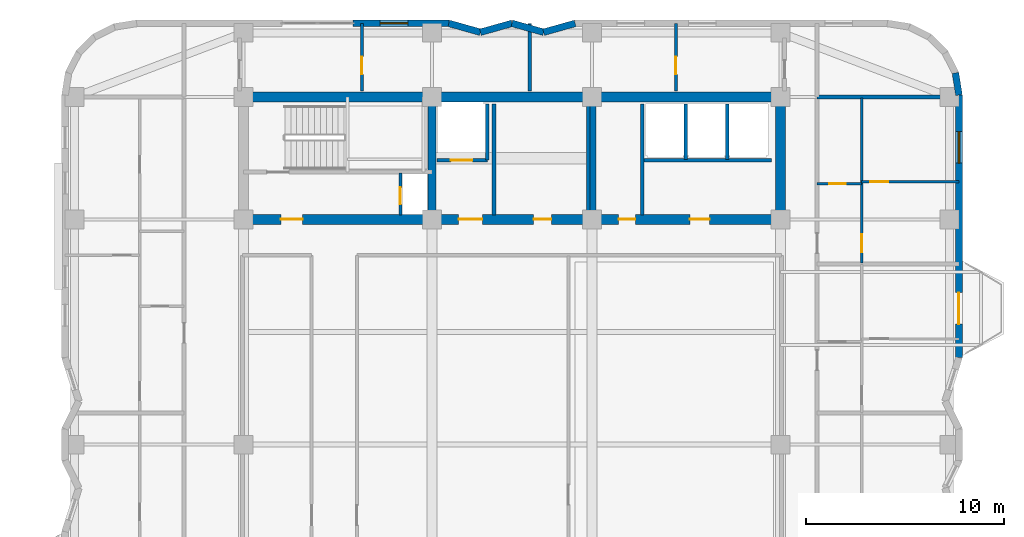
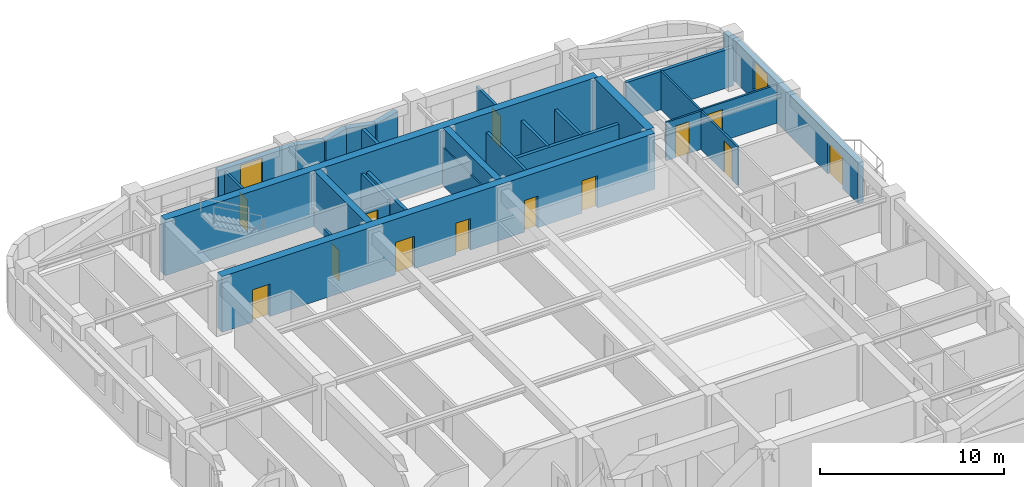
# One storey, part 8 of 12: 28 walls, 13 doors, 2 windows, 15 openings.
"""IFC4 building model written with IfcOpenShell, lengths in metres."""

from ifc_helpers import new_model, si_unit, direction, frame, frame_2d, origin, place, context, subcontext, project, spatial, rectangle, extrude, material, layer, layer_set, type_object, element, fill, save


model = new_model("IFC4")

# Units and contexts
model_context = context("Model", 3, precision=1e-05, world=origin(), true_north=direction((0.0, 1.0)))
body_context = subcontext(model_context, "Body", "Model", "MODEL_VIEW")
ifc_project = project(units=[si_unit("LENGTHUNIT", "METRE"), si_unit("AREAUNIT", "SQUARE_METRE"), si_unit("VOLUMEUNIT", "CUBIC_METRE"), si_unit("PLANEANGLEUNIT", "RADIAN"), si_unit("MASSUNIT", "GRAM", prefix="KILO")], contexts=[model_context])

# Site, building, storey
site_placement = place(None, origin())
site = spatial("IfcSite", under=ifc_project, at=site_placement, CompositionType="ELEMENT")
building_placement = place(site_placement, origin())
building = spatial("IfcBuilding", under=site, at=building_placement, Name="Svetorya Sky Lyceum", CompositionType="ELEMENT")
storey_placement = place(building_placement, frame((0.0, 0.0, 177.39990234375)))
storey = spatial("IfcBuildingStorey", under=building, at=storey_placement, Name="L44", CompositionType="ELEMENT", Elevation=177.39990234375)

# Walls
ifc_material_1 = material(Name="Concrete C40/50", Category="concrete")
ifc_layer_1 = layer(ifc_material_1, 0.39990234375)
ifc_layer_set_1 = layer_set([ifc_layer_1], Name="Concrete C40/50")
wall_type_1 = type_object("IfcWallType", Name="WL-CORE-400", PredefinedType="SHEAR", material=ifc_layer_set_1)
for number, where, z_axis, x_axis, name in (
    (1, (35.14990234375, 39.85009765625, 0.0), (0.0, 0.0, 1.0), (0.0, 1.0, 0.0), "L44 NC Internal Shear Web WEB1"),
    (2, (43.25, 39.85009765625, 0.0), (0.0, 0.0, 1.0), (0.0, 1.0, 0.0), "L44 NC Internal Shear Web WEB2"),
):
    element("IfcWall", number, at=place(storey_placement, frame(where, z_axis=z_axis, x_axis=x_axis)), inside=storey, type_object=wall_type_1, Name=name, PredefinedType="SHEAR", context=body_context, shape_type="SweptSolid", body=[
        extrude(rectangle(XDim=5.699951171875, YDim=0.39990234375, at=frame_2d((2.85009765625, 0.0))), origin(), (0.0, 0.0, 1.0), 3.7001953125),
    ])
ifc_material_2 = material(Name="Concrete C50/60", Category="concrete")
ifc_layer_2 = layer(ifc_material_2, 0.5)
ifc_layer_set_2 = layer_set([ifc_layer_2], Name="Concrete C50/60")
wall_type_2 = type_object("IfcWallType", Name="WL-CORE-500", PredefinedType="SHEAR", material=ifc_layer_set_2)
wall_1_placement = place(storey_placement, frame((25.60009765625, 45.800048828125, 0.0), z_axis=(0.0, 0.0, 1.0), x_axis=(1.0, 0.0, 0.0)))
element("IfcWall", 3, at=wall_1_placement, inside=storey, type_object=wall_type_2, Name="L44 NC Outer Core Shear Wall", PredefinedType="SHEAR", context=body_context, shape_type="SweptSolid", body=[
    extrude(rectangle(XDim=27.199951171875, YDim=0.5, at=frame_2d((13.60009765625, 0.0))), origin(), (0.0, 0.0, 1.0), 3.7001953125),
])
wall_2_placement = place(storey_placement, frame((52.800048828125, 39.85009765625, 0.0), z_axis=(0.0, 0.0, 1.0), x_axis=(0.0, 1.0, 0.0)))
element("IfcWall", 4, at=wall_2_placement, inside=storey, type_object=wall_type_2, Name="L44 NC East Core Shear Wall", PredefinedType="SHEAR", context=body_context, shape_type="SweptSolid", body=[
    extrude(rectangle(XDim=5.699951171875, YDim=0.5, at=frame_2d((2.85009765625, 0.0))), origin(), (0.0, 0.0, 1.0), 3.7001953125),
])

# Wall, openings, doors
wall_3_placement = place(storey_placement, frame((52.800048828125, 39.60009765625, 0.0), z_axis=(0.0, 0.0, 1.0), x_axis=(-1.0, 0.0, 0.0)))
wall_3 = element("IfcWall", 5, at=wall_3_placement, inside=storey, type_object=wall_type_2, Name="L44 NC Inner Core Shear Wall", PredefinedType="SHEAR", context=body_context, shape_type="SweptSolid", body=[
    extrude(rectangle(XDim=27.199951171875, YDim=0.5, at=frame_2d((13.60009765625, 0.0))), origin(), (0.0, 0.0, 1.0), 3.7001953125),
])
opening_1_placement = place(wall_3_placement, frame((24.199951171875, 0.0, 0.0)))
opening_1 = element("IfcOpeningElement", 6, at=opening_1_placement, cuts=wall_3, Name="Opening D-ST1", PredefinedType="OPENING", context=body_context, shape_type="SweptSolid", body=[
    extrude(rectangle(XDim=1.10009765625, YDim=2.14990234375, at=frame_2d((0.550048828125, 1.074951171875))), frame((0.0, 0.260009765625, 0.0), z_axis=(0.0, -1.0, 0.0), x_axis=(1.0, 0.0, 0.0)), (0.0, 0.0, 1.0), 0.52001953125),
])
opening_2_placement = place(wall_3_placement, frame((15.10009765625, 0.0, 0.0)))
opening_2 = element("IfcOpeningElement", 7, at=opening_2_placement, cuts=wall_3, Name="Opening D-FL1", PredefinedType="OPENING", context=body_context, shape_type="SweptSolid", body=[
    extrude(rectangle(XDim=1.199951171875, YDim=2.14990234375, at=frame_2d((0.60009765625, 1.074951171875))), frame((0.0, 0.260009765625, 0.0), z_axis=(0.0, -1.0, 0.0), x_axis=(1.0, 0.0, 0.0)), (0.0, 0.0, 1.0), 0.52001953125),
])
opening_3_placement = place(wall_3_placement, frame((11.60009765625, 0.0, 0.0)))
opening_3 = element("IfcOpeningElement", 8, at=opening_3_placement, cuts=wall_3, Name="Opening D-RM1", PredefinedType="OPENING", context=body_context, shape_type="SweptSolid", body=[
    extrude(rectangle(XDim=0.89990234375, YDim=2.10009765625, at=frame_2d((0.449951171875, 1.050048828125))), frame((0.0, 0.260009765625, 0.0), z_axis=(0.0, -1.0, 0.0), x_axis=(1.0, 0.0, 0.0)), (0.0, 0.0, 1.0), 0.52001953125),
])
opening_4_placement = place(wall_3_placement, frame((7.35009765625, 0.0, 0.0)))
opening_4 = element("IfcOpeningElement", 9, at=opening_4_placement, cuts=wall_3, Name="Opening D-CWC1", PredefinedType="OPENING", context=body_context, shape_type="SweptSolid", body=[
    extrude(rectangle(XDim=0.85009765625, YDim=2.10009765625, at=frame_2d((0.425048828125, 1.050048828125))), frame((0.0, 0.260009765625, 0.0), z_axis=(0.0, -1.0, 0.0), x_axis=(1.0, 0.0, 0.0)), (0.0, 0.0, 1.0), 0.52001953125),
])
opening_5_placement = place(wall_3_placement, frame((3.60009765625, 0.0, 0.0)))
opening_5 = element("IfcOpeningElement", 10, at=opening_5_placement, cuts=wall_3, Name="Opening D-RM2", PredefinedType="OPENING", context=body_context, shape_type="SweptSolid", body=[
    extrude(rectangle(XDim=1.0, YDim=2.14990234375, at=frame_2d((0.5, 1.074951171875))), frame((0.0, 0.260009765625, 0.0), z_axis=(0.0, -1.0, 0.0), x_axis=(1.0, 0.0, 0.0)), (0.0, 0.0, 1.0), 0.52001953125),
])
ifc_material_3 = material(Name="Fire-rated galvanized steel core service closet door", Category="steel")
door_type_1 = type_object("IfcDoorType", Name="DR-CWET-850", OperationType="SINGLE_SWING_LEFT", PredefinedType="DOOR", material=ifc_material_3)
door_1_placement = place(opening_4_placement, origin())
door_1 = element("IfcDoor", 11, at=door_1_placement, inside=storey, type_object=door_type_1, Name="L44 High-Zone Utility Room Door", OperationType="SINGLE_SWING_LEFT", OverallHeight=2.10009765625, OverallWidth=0.85009765625, PredefinedType="DOOR", context=body_context, shape_type="SweptSolid", body=[
    extrude(rectangle(XDim=0.85009765625, YDim=2.10009765625, at=frame_2d((0.425048828125, 1.050048828125))), frame((0.0, 0.02490234375, 0.0), z_axis=(0.0, -1.0, 0.0), x_axis=(1.0, 0.0, 0.0)), (0.0, 0.0, 1.0), 0.050048828125),
])
fill(opening_4, door_1)
ifc_material_4 = material(Name="Powder-coated insulated galvanized stair fire door")
door_type_2 = type_object("IfcDoorType", Name="DR-FIRE-1100", OperationType="SINGLE_SWING_LEFT", PredefinedType="DOOR", material=ifc_material_4)
door_2_placement = place(opening_1_placement, origin())
door_2 = element("IfcDoor", 12, at=door_2_placement, inside=storey, type_object=door_type_2, Name="L44 North Stair Airlock Door", OperationType="SINGLE_SWING_LEFT", OverallHeight=2.14990234375, OverallWidth=1.10009765625, PredefinedType="DOOR", context=body_context, shape_type="SweptSolid", body=[
    extrude(rectangle(XDim=1.10009765625, YDim=2.14990234375, at=frame_2d((0.550048828125, 1.074951171875))), frame((0.0, 0.02490234375, 0.0), z_axis=(0.0, -1.0, 0.0), x_axis=(1.0, 0.0, 0.0)), (0.0, 0.0, 1.0), 0.050048828125),
])
fill(opening_1, door_2)
ifc_material_5 = material(Name="Powder-coated insulated galvanized fire door")
door_type_3 = type_object("IfcDoorType", Name="DR-FIRE-1200", OperationType="SINGLE_SWING_LEFT", PredefinedType="DOOR", material=ifc_material_5)
door_3_placement = place(opening_2_placement, origin())
door_3 = element("IfcDoor", 13, at=door_3_placement, inside=storey, type_object=door_type_3, Name="L44 North Firefighting Lift Lobby Door", OperationType="SINGLE_SWING_RIGHT", OverallHeight=2.14990234375, OverallWidth=1.199951171875, PredefinedType="DOOR", context=body_context, shape_type="SweptSolid", body=[
    extrude(rectangle(XDim=1.199951171875, YDim=2.14990234375, at=frame_2d((0.60009765625, 1.074951171875))), frame((0.0, 0.02490234375, 0.0), z_axis=(0.0, -1.0, 0.0), x_axis=(1.0, 0.0, 0.0)), (0.0, 0.0, 1.0), 0.050048828125),
])
fill(opening_2, door_3)
ifc_material_6 = material(Name="Solid-core oak acoustic room door")
door_type_4 = type_object("IfcDoorType", Name="DR-INT-1000", OperationType="SINGLE_SWING_LEFT", PredefinedType="DOOR", material=ifc_material_6)
door_4_placement = place(opening_5_placement, origin())
door_4 = element("IfcDoor", 14, at=door_4_placement, inside=storey, type_object=door_type_4, Name="L44 North Trunk Store Door", OperationType="SINGLE_SWING_LEFT", OverallHeight=2.14990234375, OverallWidth=1.0, PredefinedType="DOOR", context=body_context, shape_type="SweptSolid", body=[
    extrude(rectangle(XDim=1.0, YDim=2.14990234375, at=frame_2d((0.5, 1.074951171875))), frame((0.0, 0.02490234375, 0.0), z_axis=(0.0, -1.0, 0.0), x_axis=(1.0, 0.0, 0.0)), (0.0, 0.0, 1.0), 0.050048828125),
])
fill(opening_5, door_4)
ifc_material_7 = material(Name="Lacquered birch veneer internal door")
door_type_5 = type_object("IfcDoorType", Name="DR-INT-900", OperationType="SINGLE_SWING_LEFT", PredefinedType="DOOR", material=ifc_material_7)
door_5_placement = place(opening_3_placement, origin())
door_5 = element("IfcDoor", 15, at=door_5_placement, inside=storey, type_object=door_type_5, Name="L44 Upper Archive Door", OperationType="SINGLE_SWING_LEFT", OverallHeight=2.10009765625, OverallWidth=0.89990234375, PredefinedType="DOOR", context=body_context, shape_type="SweptSolid", body=[
    extrude(rectangle(XDim=0.89990234375, YDim=2.10009765625, at=frame_2d((0.449951171875, 1.050048828125))), frame((0.0, 0.02490234375, 0.0), z_axis=(0.0, -1.0, 0.0), x_axis=(1.0, 0.0, 0.0)), (0.0, 0.0, 1.0), 0.050048828125),
])
fill(opening_3, door_5)

# Wall, openings, door, window
ifc_material_8 = material(Name="Putilovo limestone rainscreen on autoclaved cellular masonry", Category="masonry")
ifc_layer_3 = layer(ifc_material_8, 0.340087890625)
ifc_layer_set_3 = layer_set([ifc_layer_3], Name="Putilovo limestone rainscreen on autoclaved cellular masonry")
wall_type_3 = type_object("IfcWallType", Name="WL-EXT-340", PredefinedType="SOLIDWALL", material=ifc_layer_set_3)
wall_4_placement = place(storey_placement, frame((61.830078125, 32.60009765625, 0.0), z_axis=(0.0, 0.0, 1.0), x_axis=(0.0, 1.0, 0.0)))
wall_4 = element("IfcWall", 16, at=wall_4_placement, inside=storey, type_object=wall_type_3, Name="L44 Limestone Exterior Wall 23M", PredefinedType="SOLIDWALL", context=body_context, shape_type="SweptSolid", body=[
    extrude(rectangle(XDim=13.2998046875, YDim=0.340087890625, at=frame_2d((6.64990234375, 0.0))), origin(), (0.0, 0.0, 1.0), 2.72021484375),
])
opening_6_placement = place(wall_4_placement, frame((1.699951171875, 0.0, 0.0)))
opening_6 = element("IfcOpeningElement", 17, at=opening_6_placement, cuts=wall_4, Name="Opening D-BL1", PredefinedType="OPENING", context=body_context, shape_type="SweptSolid", body=[
    extrude(rectangle(XDim=1.60009765625, YDim=2.10009765625, at=frame_2d((0.800048828125, 1.050048828125))), frame((0.0, 0.179931640625, 0.0), z_axis=(0.0, -1.0, 0.0), x_axis=(1.0, 0.0, 0.0)), (0.0, 0.0, 1.0), 0.360107421875),
])
opening_7_placement = place(wall_4_placement, frame((9.85009765625, 0.0, 0.699951171875)))
opening_7 = element("IfcOpeningElement", 18, at=opening_7_placement, cuts=wall_4, Name="Opening W-R4", PredefinedType="OPENING", context=body_context, shape_type="SweptSolid", body=[
    extrude(rectangle(XDim=1.60009765625, YDim=1.89990234375, at=frame_2d((0.800048828125, 0.949951171875))), frame((0.0, 0.179931640625, 0.0), z_axis=(0.0, -1.0, 0.0), x_axis=(1.0, 0.0, 0.0)), (0.0, 0.0, 1.0), 0.360107421875),
])
ifc_material_9 = material(Name="Insulated glazed aluminium balcony door", Category="aluminium")
door_type_6 = type_object("IfcDoorType", Name="DR-BAL-1600", OperationType="DOUBLE_DOOR_SINGLE_SWING", PredefinedType="DOOR", material=ifc_material_9)
door_6_placement = place(opening_6_placement, origin())
door_6 = element("IfcDoor", 19, at=door_6_placement, inside=storey, type_object=door_type_6, Name="L44 Balcony BAL-E1 Door", OperationType="DOUBLE_DOOR_SINGLE_SWING", OverallHeight=2.10009765625, OverallWidth=1.60009765625, PredefinedType="DOOR", context=body_context, shape_type="SweptSolid", body=[
    extrude(rectangle(XDim=1.60009765625, YDim=2.10009765625, at=frame_2d((0.800048828125, 1.050048828125))), frame((0.0, 0.02490234375, 0.0), z_axis=(0.0, -1.0, 0.0), x_axis=(1.0, 0.0, 0.0)), (0.0, 0.0, 1.0), 0.050048828125),
])
fill(opening_6, door_6)
ifc_material_10 = material(Name="Thermally broken aluminium frame with triple low-E glazing", Category="aluminium")
window_type_1 = type_object("IfcWindowType", Name="WN-RES-160", PartitioningType="DOUBLE_PANEL_VERTICAL", PredefinedType="WINDOW", material=ifc_material_10)
window_1_placement = place(opening_7_placement, origin())
window_1 = element("IfcWindow", 20, at=window_1_placement, inside=storey, type_object=window_type_1, Name="L44 Facade Window W-R4.23M.1", OverallHeight=1.89990234375, OverallWidth=1.60009765625, PartitioningType="SINGLE_PANEL", PredefinedType="WINDOW", context=body_context, shape_type="SweptSolid", body=[
    extrude(rectangle(XDim=1.60009765625, YDim=1.89990234375, at=frame_2d((0.800048828125, 0.949951171875))), frame((0.0, 0.030029296875, 0.0), z_axis=(0.0, -1.0, 0.0), x_axis=(1.0, 0.0, 0.0)), (0.0, 0.0, 1.0), 0.06005859375),
])
fill(opening_7, window_1)

# Walls
wall_5_placement = place(storey_placement, frame((61.830078125, 45.89990234375, 0.0), z_axis=(0.0, 0.0, 1.0), x_axis=(-0.156481329164, 0.987680916907, 0.0)))
element("IfcWall", 21, at=wall_5_placement, inside=storey, type_object=wall_type_3, Name="L44 Limestone Exterior Wall 24M", PredefinedType="SOLIDWALL", context=body_context, shape_type="SweptSolid", body=[
    extrude(rectangle(XDim=1.1357421875, YDim=0.340087890625, at=frame_2d((0.56787109375, 0.0))), origin(), (0.0, 0.0, 1.0), 2.72021484375),
])
wall_6_placement = place(storey_placement, frame((42.39990234375, 49.530029296875, 0.0), z_axis=(0.0, 0.0, 1.0), x_axis=(-0.962652136636, -0.270741322725, 0.0)))
element("IfcWall", 22, at=wall_6_placement, inside=storey, type_object=wall_type_3, Name="L44 Limestone Exterior Wall 30M", PredefinedType="SOLIDWALL", context=body_context, shape_type="SweptSolid", body=[
    extrude(rectangle(XDim=1.661865234375, YDim=0.340087890625, at=frame_2d((0.8310546875, 0.0))), origin(), (0.0, 0.0, 1.0), 2.72021484375),
])
wall_7_placement = place(storey_placement, frame((40.800048828125, 49.080078125, 0.0), z_axis=(0.0, 0.0, 1.0), x_axis=(-0.962662902433, 0.270703040766, 0.0)))
element("IfcWall", 23, at=wall_7_placement, inside=storey, type_object=wall_type_3, Name="L44 Limestone Exterior Wall 31M", PredefinedType="SOLIDWALL", context=body_context, shape_type="SweptSolid", body=[
    extrude(rectangle(XDim=1.662109375, YDim=0.340087890625, at=frame_2d((0.8310546875, 0.0))), origin(), (0.0, 0.0, 1.0), 2.72021484375),
])
wall_8_placement = place(storey_placement, frame((39.199951171875, 49.530029296875, 0.0), z_axis=(0.0, 0.0, 1.0), x_axis=(-0.962652136636, -0.270741322725, 0.0)))
element("IfcWall", 24, at=wall_8_placement, inside=storey, type_object=wall_type_3, Name="L44 Limestone Exterior Wall 32M", PredefinedType="SOLIDWALL", context=body_context, shape_type="SweptSolid", body=[
    extrude(rectangle(XDim=1.661865234375, YDim=0.340087890625, at=frame_2d((0.8310546875, 0.0))), origin(), (0.0, 0.0, 1.0), 2.72021484375),
])
wall_9_placement = place(storey_placement, frame((37.60009765625, 49.080078125, 0.0), z_axis=(0.0, 0.0, 1.0), x_axis=(-0.962662902433, 0.270703040766, 0.0)))
element("IfcWall", 25, at=wall_9_placement, inside=storey, type_object=wall_type_3, Name="L44 Limestone Exterior Wall 33M", PredefinedType="SOLIDWALL", context=body_context, shape_type="SweptSolid", body=[
    extrude(rectangle(XDim=1.662109375, YDim=0.340087890625, at=frame_2d((0.8310546875, 0.0))), origin(), (0.0, 0.0, 1.0), 2.72021484375),
])

# Wall, opening, window
wall_10_placement = place(storey_placement, frame((36.0, 49.530029296875, 0.0), z_axis=(0.0, 0.0, 1.0), x_axis=(-1.0, 0.0, 0.0)))
wall_10 = element("IfcWall", 26, at=wall_10_placement, inside=storey, type_object=wall_type_3, Name="L44 Limestone Exterior Wall 34A", PredefinedType="SOLIDWALL", context=body_context, shape_type="SweptSolid", body=[
    extrude(rectangle(XDim=4.85009765625, YDim=0.340087890625, at=frame_2d((2.425048828125, 0.0))), origin(), (0.0, 0.0, 1.0), 2.72021484375),
])
opening_8_placement = place(wall_10_placement, frame((2.074951171875, 0.0, 0.75)))
opening_8 = element("IfcOpeningElement", 27, at=opening_8_placement, cuts=wall_10, Name="Opening W-R2", PredefinedType="OPENING", context=body_context, shape_type="SweptSolid", body=[
    extrude(rectangle(XDim=1.39990234375, YDim=1.85009765625, at=frame_2d((0.699951171875, 0.925048828125))), frame((0.0, 0.179931640625, 0.0), z_axis=(0.0, -1.0, 0.0), x_axis=(1.0, 0.0, 0.0)), (0.0, 0.0, 1.0), 0.360107421875),
])
window_type_2 = type_object("IfcWindowType", Name="WN-RES-140", PartitioningType="SINGLE_PANEL", PredefinedType="WINDOW", material=ifc_material_10)
window_2_placement = place(opening_8_placement, origin())
window_2 = element("IfcWindow", 28, at=window_2_placement, inside=storey, type_object=window_type_2, Name="L44 Facade Window W-R2.34A.1", OverallHeight=1.85009765625, OverallWidth=1.39990234375, PartitioningType="SINGLE_PANEL", PredefinedType="WINDOW", context=body_context, shape_type="SweptSolid", body=[
    extrude(rectangle(XDim=1.39990234375, YDim=1.85009765625, at=frame_2d((0.699951171875, 0.925048828125))), frame((0.0, 0.030029296875, 0.0), z_axis=(0.0, -1.0, 0.0), x_axis=(1.0, 0.0, 0.0)), (0.0, 0.0, 1.0), 0.06005859375),
])
fill(opening_8, window_2)

# Wall, opening, door
ifc_material_11 = material(Name="Twin-stud galvanized framing with double fireboard", Category="gypsum")
ifc_layer_4 = layer(ifc_material_11, 0.1201171875)
ifc_layer_set_4 = layer_set([ifc_layer_4], Name="Twin-stud galvanized framing with double fireboard")
wall_type_4 = type_object("IfcWallType", Name="WL-PART-120", PredefinedType="PARTITIONING", material=ifc_layer_set_4)
wall_11_placement = place(storey_placement, frame((54.64990234375, 41.412109375, 0.0), z_axis=(0.0, 0.0, 1.0), x_axis=(1.0, 0.0, 0.0)))
wall_11 = element("IfcWall", 29, at=wall_11_placement, inside=storey, type_object=wall_type_4, Name="L44 Interior Partition E4-WH1", PredefinedType="PARTITIONING", context=body_context, shape_type="SweptSolid", body=[
    extrude(rectangle(XDim=2.25, YDim=0.1201171875, at=frame_2d((1.125, 0.0))), origin(), (0.0, 0.0, 1.0), 2.550048828125),
])
opening_9_placement = place(wall_11_placement, frame((0.60009765625, 0.0, 0.0)))
opening_9 = element("IfcOpeningElement", 30, at=opening_9_placement, cuts=wall_11, Name="Opening D-BT1", PredefinedType="OPENING", context=body_context, shape_type="SweptSolid", body=[
    extrude(rectangle(XDim=0.85009765625, YDim=2.10009765625, at=frame_2d((0.425048828125, 1.050048828125))), frame((0.0, 0.070068359375, 0.0), z_axis=(0.0, -1.0, 0.0), x_axis=(1.0, 0.0, 0.0)), (0.0, 0.0, 1.0), 0.14013671875),
])
ifc_material_12 = material(Name="Moisture-resistant laminate bathroom door")
door_type_7 = type_object("IfcDoorType", Name="DR-WET-850", OperationType="SINGLE_SWING_LEFT", PredefinedType="DOOR", material=ifc_material_12)
door_7_placement = place(opening_9_placement, origin())
door_7 = element("IfcDoor", 31, at=door_7_placement, inside=storey, type_object=door_type_7, Name="Apartment E4 Bathroom Door", OperationType="SINGLE_SWING_LEFT", OverallHeight=2.10009765625, OverallWidth=0.85009765625, PredefinedType="DOOR", context=body_context, shape_type="SweptSolid", body=[
    extrude(rectangle(XDim=0.85009765625, YDim=2.10009765625, at=frame_2d((0.425048828125, 1.050048828125))), frame((0.0, 0.02490234375, 0.0), z_axis=(0.0, -1.0, 0.0), x_axis=(1.0, 0.0, 0.0)), (0.0, 0.0, 1.0), 0.050048828125),
])
fill(opening_9, door_7)

wall_12_placement = place(storey_placement, frame((56.89990234375, 41.501953125, 0.0), z_axis=(0.0, 0.0, 1.0), x_axis=(1.0, 0.0, 0.0)))
wall_12 = element("IfcWall", 32, at=wall_12_placement, inside=storey, type_object=wall_type_4, Name="L44 Interior Partition E4-WL1", PredefinedType="PARTITIONING", context=body_context, shape_type="SweptSolid", body=[
    extrude(rectangle(XDim=4.93017578125, YDim=0.1201171875, at=frame_2d((2.465087890625, 0.0))), origin(), (0.0, 0.0, 1.0), 2.550048828125),
])
opening_10_placement = place(wall_12_placement, frame((0.449951171875, 0.0, 0.0)))
opening_10 = element("IfcOpeningElement", 33, at=opening_10_placement, cuts=wall_12, Name="Opening D-RM1", PredefinedType="OPENING", context=body_context, shape_type="SweptSolid", body=[
    extrude(rectangle(XDim=0.89990234375, YDim=2.10009765625, at=frame_2d((0.449951171875, 1.050048828125))), frame((0.0, 0.070068359375, 0.0), z_axis=(0.0, -1.0, 0.0), x_axis=(1.0, 0.0, 0.0)), (0.0, 0.0, 1.0), 0.14013671875),
])
door_8_placement = place(opening_10_placement, origin())
door_8 = element("IfcDoor", 34, at=door_8_placement, inside=storey, type_object=door_type_5, Name="Apartment E4 Bedroom 1 Door", OperationType="SINGLE_SWING_LEFT", OverallHeight=2.10009765625, OverallWidth=0.89990234375, PredefinedType="DOOR", context=body_context, shape_type="SweptSolid", body=[
    extrude(rectangle(XDim=0.89990234375, YDim=2.10009765625, at=frame_2d((0.449951171875, 1.050048828125))), frame((0.0, 0.02490234375, 0.0), z_axis=(0.0, -1.0, 0.0), x_axis=(1.0, 0.0, 0.0)), (0.0, 0.0, 1.0), 0.050048828125),
])
fill(opening_10, door_8)

wall_13_placement = place(storey_placement, frame((56.89990234375, 37.39208984375, 0.0), z_axis=(0.0, 0.0, 1.0), x_axis=(0.0, 1.0, 0.0)))
wall_13 = element("IfcWall", 35, at=wall_13_placement, inside=storey, type_object=wall_type_4, Name="L44 Interior Partition E4-WV", PredefinedType="PARTITIONING", context=body_context, shape_type="SweptSolid", body=[
    extrude(rectangle(XDim=8.367919921875, YDim=0.1201171875, at=frame_2d((4.18408203125, 0.0))), origin(), (0.0, 0.0, 1.0), 2.550048828125),
])
opening_11_placement = place(wall_13_placement, frame((0.56005859375, 0.0, 0.0)))
opening_11 = element("IfcOpeningElement", 36, at=opening_11_placement, cuts=wall_13, Name="Opening D-RM1", PredefinedType="OPENING", context=body_context, shape_type="SweptSolid", body=[
    extrude(rectangle(XDim=0.89990234375, YDim=2.10009765625, at=frame_2d((0.449951171875, 1.050048828125))), frame((0.0, 0.070068359375, 0.0), z_axis=(0.0, -1.0, 0.0), x_axis=(1.0, 0.0, 0.0)), (0.0, 0.0, 1.0), 0.14013671875),
])
door_9_placement = place(opening_11_placement, origin())
door_9 = element("IfcDoor", 37, at=door_9_placement, inside=storey, type_object=door_type_5, Name="Apartment E4 Living Door", OperationType="SINGLE_SWING_RIGHT", OverallHeight=2.10009765625, OverallWidth=0.89990234375, PredefinedType="DOOR", context=body_context, shape_type="SweptSolid", body=[
    extrude(rectangle(XDim=0.89990234375, YDim=2.10009765625, at=frame_2d((0.449951171875, 1.050048828125))), frame((0.0, 0.02490234375, 0.0), z_axis=(0.0, -1.0, 0.0), x_axis=(1.0, 0.0, 0.0)), (0.0, 0.0, 1.0), 0.050048828125),
])
fill(opening_11, door_9)

ifc_material_13 = material(Name="Autoclaved cellular masonry blockwork with acoustic render", Category="masonry")
ifc_layer_5 = layer(ifc_material_13, 0.14990234375)
ifc_layer_set_5 = layer_set([ifc_layer_5], Name="Autoclaved cellular masonry blockwork with acoustic render")
wall_type_5 = type_object("IfcWallType", Name="WL-PART-150", PredefinedType="PARTITIONING", material=ifc_layer_set_5)
wall_14_placement = place(storey_placement, frame((33.550048828125, 39.820068359375, 0.0), z_axis=(0.0, 0.0, 1.0), x_axis=(0.0, 1.0, 0.0)))
wall_14 = element("IfcWall", 38, at=wall_14_placement, inside=storey, type_object=wall_type_5, Name="L44 Interior Partition NC-RSRW", PredefinedType="PARTITIONING", context=body_context, shape_type="SweptSolid", body=[
    extrude(rectangle(XDim=2.1298828125, YDim=0.14990234375, at=frame_2d((1.06494140625, 0.0))), origin(), (0.0, 0.0, 1.0), 2.550048828125),
])
opening_12_placement = place(wall_14_placement, frame((0.550048828125, 0.0, 0.0)))
opening_12 = element("IfcOpeningElement", 39, at=opening_12_placement, cuts=wall_14, Name="Opening D-SH1", PredefinedType="OPENING", context=body_context, shape_type="SweptSolid", body=[
    extrude(rectangle(XDim=0.85009765625, YDim=2.050048828125, at=frame_2d((0.425048828125, 1.02490234375))), frame((0.0, 0.0849609375, 0.0), z_axis=(0.0, -1.0, 0.0), x_axis=(1.0, 0.0, 0.0)), (0.0, 0.0, 1.0), 0.169921875),
])
ifc_material_14 = material(Name="Insulated galvanized riser inspection fire door")
door_type_8 = type_object("IfcDoorType", Name="DR-SHFT-850", OperationType="SINGLE_SWING_LEFT", PredefinedType="TRAPDOOR", material=ifc_material_14)
door_10_placement = place(opening_12_placement, origin())
door_10 = element("IfcDoor", 40, at=door_10_placement, inside=storey, type_object=door_type_8, Name="L44 North Riser Access Door", OperationType="SINGLE_SWING_LEFT", OverallHeight=2.050048828125, OverallWidth=0.85009765625, PredefinedType="TRAPDOOR", context=body_context, shape_type="SweptSolid", body=[
    extrude(rectangle(XDim=0.85009765625, YDim=2.050048828125, at=frame_2d((0.425048828125, 1.02490234375))), frame((0.0, 0.02490234375, 0.0), z_axis=(0.0, -1.0, 0.0), x_axis=(1.0, 0.0, 0.0)), (0.0, 0.0, 1.0), 0.050048828125),
])
fill(opening_12, door_10)

wall_15_placement = place(storey_placement, frame((31.60009765625, 46.10009765625, 0.0), z_axis=(0.0, 0.0, 1.0), x_axis=(0.0, 1.0, 0.0)))
wall_15 = element("IfcWall", 41, at=wall_15_placement, inside=storey, type_object=wall_type_5, Name="L44 Interior Partition N4-D1", PredefinedType="PARTITIONING", context=body_context, shape_type="SweptSolid", body=[
    extrude(rectangle(XDim=3.429931640625, YDim=0.14990234375, at=frame_2d((1.71484375, 0.0))), origin(), (0.0, 0.0, 1.0), 2.550048828125),
])
opening_13_placement = place(wall_15_placement, frame((0.85009765625, 0.0, 0.0)))
opening_13 = element("IfcOpeningElement", 42, at=opening_13_placement, cuts=wall_15, Name="Opening D-RM1", PredefinedType="OPENING", context=body_context, shape_type="SweptSolid", body=[
    extrude(rectangle(XDim=0.89990234375, YDim=2.10009765625, at=frame_2d((0.449951171875, 1.050048828125))), frame((0.0, 0.0849609375, 0.0), z_axis=(0.0, -1.0, 0.0), x_axis=(1.0, 0.0, 0.0)), (0.0, 0.0, 1.0), 0.169921875),
])
door_11_placement = place(opening_13_placement, origin())
door_11 = element("IfcDoor", 43, at=door_11_placement, inside=storey, type_object=door_type_5, Name="L44 North Suite Door 1", OperationType="SINGLE_SWING_RIGHT", OverallHeight=2.10009765625, OverallWidth=0.89990234375, PredefinedType="DOOR", context=body_context, shape_type="SweptSolid", body=[
    extrude(rectangle(XDim=0.89990234375, YDim=2.10009765625, at=frame_2d((0.449951171875, 1.050048828125))), frame((0.0, 0.02490234375, 0.0), z_axis=(0.0, -1.0, 0.0), x_axis=(1.0, 0.0, 0.0)), (0.0, 0.0, 1.0), 0.050048828125),
])
fill(opening_13, door_11)

wall_16_placement = place(storey_placement, frame((47.5, 46.10009765625, 0.0), z_axis=(0.0, 0.0, 1.0), x_axis=(0.0, 1.0, 0.0)))
wall_16 = element("IfcWall", 44, at=wall_16_placement, inside=storey, type_object=wall_type_5, Name="L44 Interior Partition N4-D3", PredefinedType="PARTITIONING", context=body_context, shape_type="SweptSolid", body=[
    extrude(rectangle(XDim=3.429931640625, YDim=0.14990234375, at=frame_2d((1.71484375, 0.0))), origin(), (0.0, 0.0, 1.0), 2.550048828125),
])
opening_14_placement = place(wall_16_placement, frame((0.85009765625, 0.0, 0.0)))
opening_14 = element("IfcOpeningElement", 45, at=opening_14_placement, cuts=wall_16, Name="Opening D-RM1", PredefinedType="OPENING", context=body_context, shape_type="SweptSolid", body=[
    extrude(rectangle(XDim=0.89990234375, YDim=2.10009765625, at=frame_2d((0.449951171875, 1.050048828125))), frame((0.0, 0.0849609375, 0.0), z_axis=(0.0, -1.0, 0.0), x_axis=(1.0, 0.0, 0.0)), (0.0, 0.0, 1.0), 0.169921875),
])
door_12_placement = place(opening_14_placement, origin())
door_12 = element("IfcDoor", 46, at=door_12_placement, inside=storey, type_object=door_type_5, Name="L44 North Suite Door 3", OperationType="SINGLE_SWING_RIGHT", OverallHeight=2.10009765625, OverallWidth=0.89990234375, PredefinedType="DOOR", context=body_context, shape_type="SweptSolid", body=[
    extrude(rectangle(XDim=0.89990234375, YDim=2.10009765625, at=frame_2d((0.449951171875, 1.050048828125))), frame((0.0, 0.02490234375, 0.0), z_axis=(0.0, -1.0, 0.0), x_axis=(1.0, 0.0, 0.0)), (0.0, 0.0, 1.0), 0.050048828125),
])
fill(opening_14, door_12)

# Walls
ifc_material_15 = material(Name="Autoclaved cellular masonry blockwork with fire render", Category="masonry")
ifc_layer_6 = layer(ifc_material_15, 0.175048828125)
ifc_layer_set_6 = layer_set([ifc_layer_6], Name="Autoclaved cellular masonry blockwork with fire render")
wall_type_6 = type_object("IfcWallType", Name="WL-PART-175", PredefinedType="PARTITIONING", material=ifc_layer_set_6)
wall_17_placement = place(storey_placement, frame((37.949951171875, 42.60009765625, 0.0), z_axis=(0.0, 0.0, 1.0), x_axis=(0.0, 1.0, 0.0)))
element("IfcWall", 47, at=wall_17_placement, inside=storey, type_object=wall_type_6, Name="L44 Interior Partition NC-FL1SIDE", PredefinedType="PARTITIONING", context=body_context, shape_type="SweptSolid", body=[
    extrude(rectangle(XDim=2.849853515625, YDim=0.175048828125, at=frame_2d((1.4248046875, 0.0))), origin(), (0.0, 0.0, 1.0), 2.550048828125),
])
for number, where, z_axis, x_axis, name in (
    (48, (43.050048828125, 39.820068359375, 0.0), (0.0, 0.0, 1.0), (0.0, 1.0, 0.0), "L44 Interior Partition NC-FPM-END"),
    (49, (45.800048828125, 39.820068359375, 0.0), (0.0, 0.0, 1.0), (0.0, 1.0, 0.0), "L44 Interior Partition NC-PM3-FULL"),
):
    element("IfcWall", number, at=place(storey_placement, frame(where, z_axis=z_axis, x_axis=x_axis)), inside=storey, type_object=wall_type_6, Name=name, PredefinedType="PARTITIONING", context=body_context, shape_type="SweptSolid", body=[
        extrude(rectangle(XDim=5.6298828125, YDim=0.175048828125, at=frame_2d((2.81494140625, 0.0))), origin(), (0.0, 0.0, 1.0), 2.550048828125),
    ])
for number, where, z_axis, x_axis, name in (
    (50, (48.0, 42.64990234375, 0.0), (0.0, 0.0, 1.0), (0.0, 1.0, 0.0), "L44 Interior Partition NC-PH-D1"),
    (51, (50.10009765625, 42.64990234375, 0.0), (0.0, 0.0, 1.0), (0.0, 1.0, 0.0), "L44 Interior Partition NC-PH-D2"),
):
    element("IfcWall", number, at=place(storey_placement, frame(where, z_axis=z_axis, x_axis=x_axis)), inside=storey, type_object=wall_type_6, Name=name, PredefinedType="PARTITIONING", context=body_context, shape_type="SweptSolid", body=[
        extrude(rectangle(XDim=2.800048828125, YDim=0.175048828125, at=frame_2d((1.39990234375, 0.0))), origin(), (0.0, 0.0, 1.0), 2.550048828125),
    ])
wall_18_placement = place(storey_placement, frame((40.10009765625, 46.10009765625, 0.0), z_axis=(0.0, 0.0, 1.0), x_axis=(0.0, 1.0, 0.0)))
element("IfcWall", 52, at=wall_18_placement, inside=storey, type_object=wall_type_6, Name="L44 Interior Partition N4-D2", PredefinedType="PARTITIONING", context=body_context, shape_type="SweptSolid", body=[
    extrude(rectangle(XDim=3.429931640625, YDim=0.175048828125, at=frame_2d((1.71484375, 0.0))), origin(), (0.0, 0.0, 1.0), 2.550048828125),
])

# Wall, opening, door
ifc_material_16 = material(Name="Autoclaved cellular masonry blockwork with gypsum plaster", Category="masonry")
ifc_layer_7 = layer(ifc_material_16, 0.199951171875)
ifc_layer_set_7 = layer_set([ifc_layer_7], Name="Autoclaved cellular masonry blockwork with gypsum plaster")
wall_type_7 = type_object("IfcWallType", Name="WL-PART-200", PredefinedType="PARTITIONING", material=ifc_layer_set_7)
wall_19_placement = place(storey_placement, frame((37.949951171875, 42.60009765625, 0.0), z_axis=(0.0, 0.0, 1.0), x_axis=(-1.0, 0.0, 0.0)))
wall_19 = element("IfcWall", 53, at=wall_19_placement, inside=storey, type_object=wall_type_7, Name="L44 Interior Partition NC-FL1W", PredefinedType="PARTITIONING", context=body_context, shape_type="SweptSolid", body=[
    extrude(rectangle(XDim=2.550048828125, YDim=0.199951171875, at=frame_2d((1.27490234375, 0.0))), origin(), (0.0, 0.0, 1.0), 2.320068359375),
])
opening_15_placement = place(wall_19_placement, frame((0.75, 0.0, 0.0)))
opening_15 = element("IfcOpeningElement", 54, at=opening_15_placement, cuts=wall_19, Name="Opening LD-FL", PredefinedType="OPENING", context=body_context, shape_type="SweptSolid", body=[
    extrude(rectangle(XDim=1.10009765625, YDim=2.14990234375, at=frame_2d((0.550048828125, 1.074951171875))), frame((0.0, 0.10986328125, 0.0), z_axis=(0.0, -1.0, 0.0), x_axis=(1.0, 0.0, 0.0)), (0.0, 0.0, 1.0), 0.219970703125),
])
ifc_material_17 = material(Name="Fire-rated stainless AISI 304 firefighting lift landing door")
door_type_9 = type_object("IfcDoorType", Name="DR-LIFT-1100", OperationType="SLIDING_TO_LEFT", PredefinedType="DOOR", material=ifc_material_17)
door_13_placement = place(opening_15_placement, origin())
door_13 = element("IfcDoor", 55, at=door_13_placement, inside=storey, type_object=door_type_9, Name="L44 Firefighting Lift FL1 Landing Door", OperationType="SLIDING_TO_LEFT", OverallHeight=2.14990234375, OverallWidth=1.10009765625, PredefinedType="DOOR", context=body_context, shape_type="SweptSolid", body=[
    extrude(rectangle(XDim=1.10009765625, YDim=2.14990234375, at=frame_2d((0.550048828125, 1.074951171875))), frame((0.0, 0.02490234375, 0.0), z_axis=(0.0, -1.0, 0.0), x_axis=(1.0, 0.0, 0.0)), (0.0, 0.0, 1.0), 0.050048828125),
])
fill(opening_15, door_13)

# Walls
wall_20_placement = place(storey_placement, frame((38.280029296875, 39.820068359375, 0.0), z_axis=(0.0, 0.0, 1.0), x_axis=(0.0, 1.0, 0.0)))
element("IfcWall", 56, at=wall_20_placement, inside=storey, type_object=wall_type_7, Name="L44 Interior Partition NC-FFLDIV", PredefinedType="PARTITIONING", context=body_context, shape_type="SweptSolid", body=[
    extrude(rectangle(XDim=5.6298828125, YDim=0.199951171875, at=frame_2d((2.81494140625, 0.0))), origin(), (0.0, 0.0, 1.0), 2.550048828125),
])
wall_21_placement = place(storey_placement, frame((52.35009765625, 42.60009765625, 0.0), z_axis=(0.0, 0.0, 1.0), x_axis=(-1.0, 0.0, 0.0)))
element("IfcWall", 57, at=wall_21_placement, inside=storey, type_object=wall_type_7, Name="L44 Interior Partition NC-PHEW", PredefinedType="PARTITIONING", context=body_context, shape_type="SweptSolid", body=[
    extrude(rectangle(XDim=6.5, YDim=0.199951171875, at=frame_2d((3.25, 0.0))), origin(), (0.0, 0.0, 1.0), 2.550048828125),
])
wall_22_placement = place(storey_placement, frame((54.64990234375, 45.800048828125, 0.0), z_axis=(0.0, 0.0, 1.0), x_axis=(1.0, 0.0, 0.0)))
element("IfcWall", 58, at=wall_22_placement, inside=storey, type_object=wall_type_7, Name="L44 Interior Partition E-CAP-N", PredefinedType="PARTITIONING", context=body_context, shape_type="SweptSolid", body=[
    extrude(rectangle(XDim=6.760009765625, YDim=0.199951171875, at=frame_2d((3.3798828125, 0.0))), origin(), (0.0, 0.0, 1.0), 2.550048828125),
])

save(model, "model.ifc")
